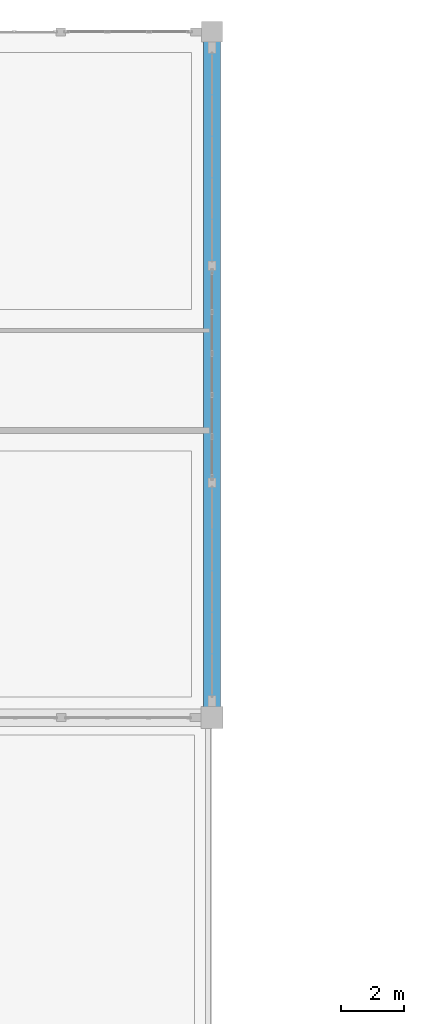
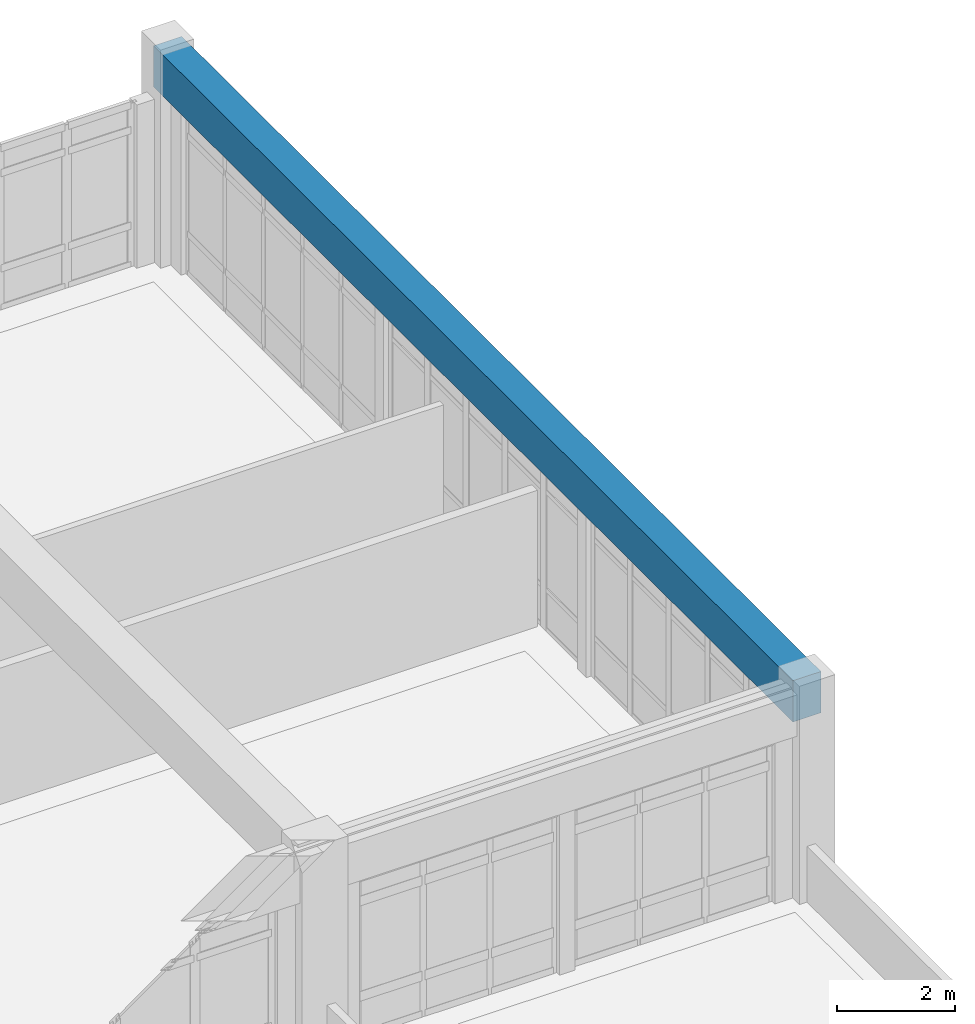
# One storey, part 66 of 109: 1 beam.
"""IFC4 building model written with IfcOpenShell, lengths in metres."""

from ifc_helpers import new_model, si_unit, direction, frame, origin, origin_2d, place, context, subcontext, project, spatial, rectangle, extrude, material, material_profile, profile_set, type_object, element, save


model = new_model("IFC4")

# Units and contexts
model_context = context("Model", 3, precision=1e-05, world=origin(), true_north=direction((0.0, 1.0)))
body_context = subcontext(model_context, "Body", "Model", "MODEL_VIEW")
ifc_project = project(units=[si_unit("LENGTHUNIT", "METRE"), si_unit("AREAUNIT", "SQUARE_METRE"), si_unit("VOLUMEUNIT", "CUBIC_METRE"), si_unit("PLANEANGLEUNIT", "RADIAN"), si_unit("MASSUNIT", "GRAM", prefix="KILO")], contexts=[model_context])

# Site, building, storey
site_placement = place(None, origin())
site = spatial("IfcSite", under=ifc_project, at=site_placement, CompositionType="ELEMENT")
building_placement = place(site_placement, origin())
building = spatial("IfcBuilding", under=site, at=building_placement, Name="Fikremerkos Civic Library", CompositionType="ELEMENT")
storey_placement = place(building_placement, frame((0.0, 0.0, 5.39990234375)))
storey = spatial("IfcBuildingStorey", under=building, at=storey_placement, Name="L01", CompositionType="ELEMENT", Elevation=5.39990234375)

# Beam
ifc_material = material(Name="Concrete C40/50", Category="concrete")
ifc_material_profile = material_profile(ifc_material, rectangle(XDim=0.550048828125, YDim=0.85009765625, at=origin_2d()), Name="RC 550x850")
ifc_profile_set = profile_set([ifc_material_profile], Name="Concrete C40/50")
beam_type = type_object("IfcBeamType", Name="Primary girder BM-03 RC 550x850", PredefinedType="BEAM", material=ifc_profile_set)
beam_placement = place(storey_placement, frame((134.39990234375, 96.0, 3.952392578125), z_axis=(0.0, 1.0, 0.0), x_axis=(-1.0, 0.0, 0.0)))
element("IfcBeam", 1, at=beam_placement, inside=storey, type_object=beam_type, Name="Primary girder BM-03 L01 grid 12", PredefinedType="BEAM", context=body_context, shape_type="SweptSolid", body=[
    extrude(rectangle(XDim=0.550048828125, YDim=0.85009765625, at=origin_2d()), origin(), (0.0, 0.0, 1.0), 21.60009765625),
])

save(model, "model.ifc")
